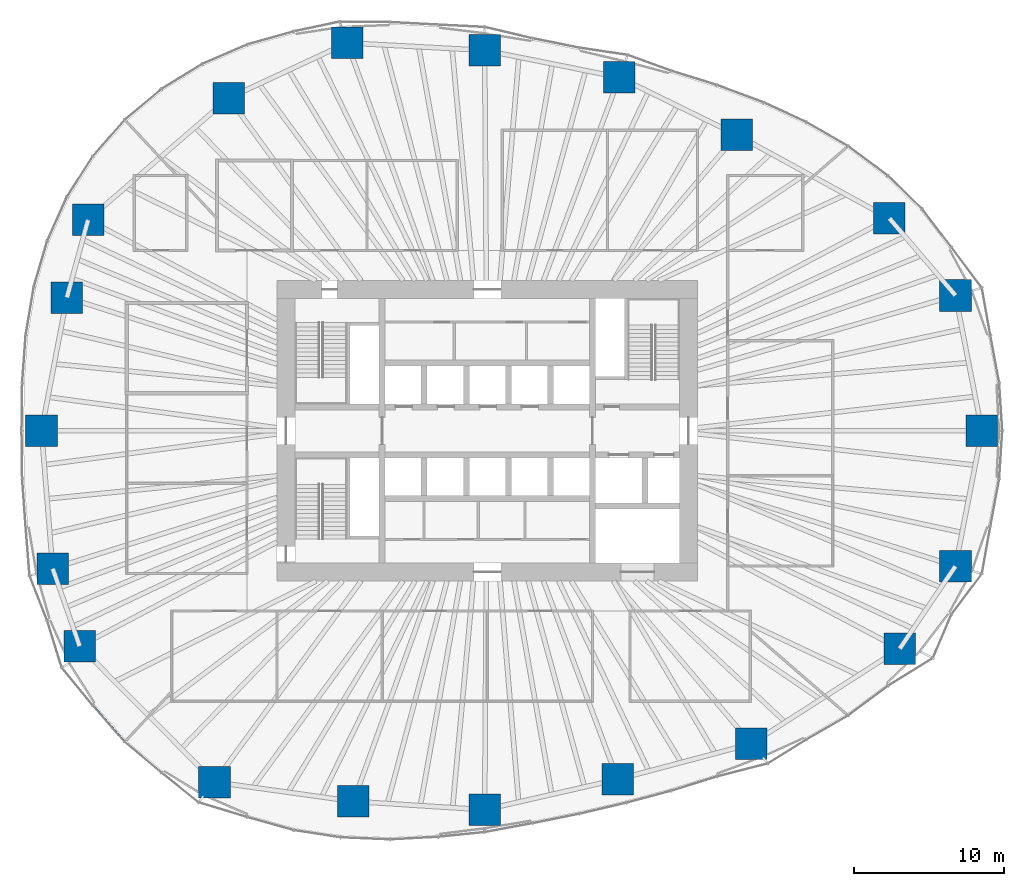
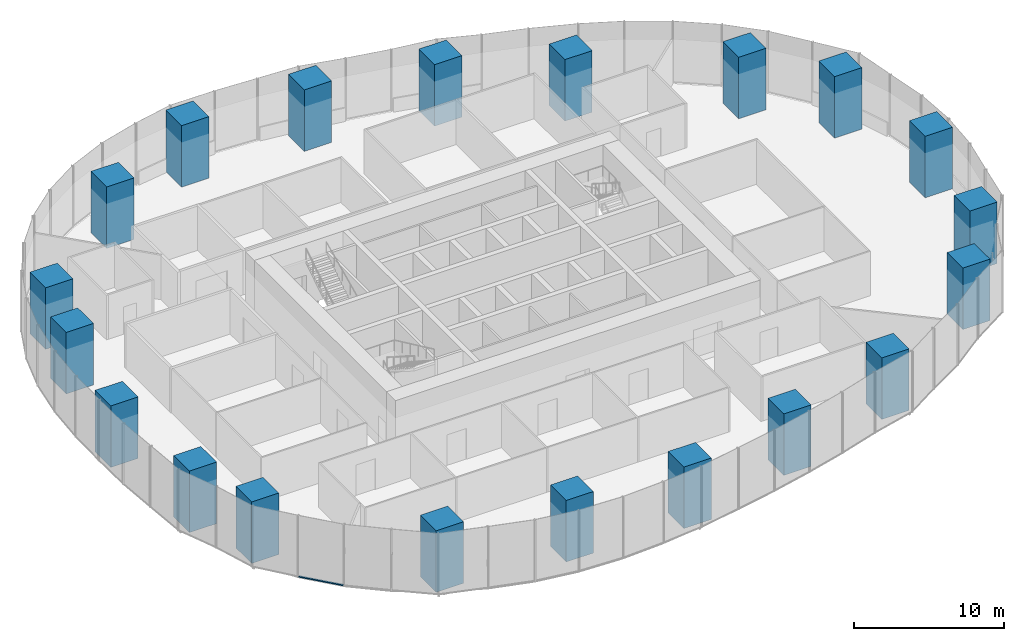
# One storey, part 1 of 20: 20 columns, 1 member, 1 element without a shape of its own.
"""IFC4 building model written with IfcOpenShell, lengths in metres."""

from ifc_helpers import new_model, si_unit, direction, frame, origin, origin_2d, place, context, subcontext, project, spatial, rectangle, extrude, material, material_profile, profile_set, type_object, element, aggregate, save


model = new_model("IFC4")

# Units and contexts
model_context = context("Model", 3, precision=1e-05, world=origin(), true_north=direction((0.0, 1.0)))
body_context = subcontext(model_context, "Body", "Model", "MODEL_VIEW")
ifc_project = project(units=[si_unit("LENGTHUNIT", "METRE"), si_unit("AREAUNIT", "SQUARE_METRE"), si_unit("VOLUMEUNIT", "CUBIC_METRE"), si_unit("PLANEANGLEUNIT", "RADIAN"), si_unit("MASSUNIT", "GRAM", prefix="KILO")], contexts=[model_context])

# Site, building, storey
site_placement = place(None, origin())
site = spatial("IfcSite", under=ifc_project, at=site_placement, CompositionType="ELEMENT")
building_placement = place(site_placement, origin())
building = spatial("IfcBuilding", under=site, at=building_placement, Name="Ghaith Harvest Tower", CompositionType="ELEMENT")
storey_placement = place(building_placement, frame((0.0, 0.0, 40.0)))
storey = spatial("IfcBuildingStorey", under=building, at=storey_placement, Name="L08", CompositionType="ELEMENT", Elevation=40.0)

# Columns
ifc_material_1 = material(Name="Concrete C70/85", Category="concrete")
ifc_material_profile_1 = material_profile(ifc_material_1, rectangle(XDim=2.10009765625, YDim=2.10009765625, at=origin_2d()), Name="RC2100X2100")
ifc_profile_set_1 = profile_set([ifc_material_profile_1], Name="Concrete C70/85")
column_type = type_object("IfcColumnType", Name="TC1 RC2100X2100", PredefinedType="COLUMN", material=ifc_profile_set_1)
for number, where, z_axis, x_axis, name in (
    (1, (32.925048828125, 0.0, 0.0), (0.0, 0.0, 1.0), (1.0, 0.0, 0.0), "Perimeter column C01"),
    (2, (31.166015625, 9.008056640625, 0.0), (0.0, 0.0, 1.0), (1.0, 0.0, 0.0), "Perimeter column C02"),
    (3, (26.763916015625, 14.14697265625, 0.0), (0.0, 0.0, 1.0), (1.0, 0.0, 0.0), "Perimeter column C03"),
    (4, (16.60791015625, 19.695068359375, 0.0), (0.0, 0.0, 1.0), (1.0, 0.0, 0.0), "Perimeter column C04"),
    (5, (8.794921875, 23.527099609375, 0.0), (0.0, 0.0, 1.0), (1.0, 0.0, 0.0), "Perimeter column C05"),
    (6, (-0.173095703125, 25.326904296875, 0.0), (0.0, 0.0, 1.0), (1.0, 0.0, 0.0), "Perimeter column C06"),
    (7, (-9.325927734375, 25.821044921875, 0.0), (0.0, 0.0, 1.0), (1.0, 0.0, 0.0), "Perimeter column C07"),
    (8, (-17.201904296875, 22.14990234375, 0.0), (0.0, 0.0, 1.0), (1.0, 0.0, 0.0), "Perimeter column C08"),
    (9, (-26.572998046875, 14.0458984375, 0.0), (0.0, 0.0, 1.0), (1.0, 0.0, 0.0), "Perimeter column C09"),
    (10, (-27.98291015625, 8.867919921875, 0.0), (0.0, 0.0, 1.0), (1.0, 0.0, 0.0), "Perimeter column C10"),
    (11, (-29.675048828125, 0.0, 0.0), (0.0, 0.0, 1.0), (1.0, 0.0, 0.0), "Perimeter column C11"),
    (12, (-28.929931640625, -9.16796875, 0.0), (0.0, 0.0, 1.0), (1.0, 0.0, 0.0), "Perimeter column C12"),
    (13, (-27.132080078125, -14.341064453125, 0.0), (0.0, 0.0, 1.0), (1.0, 0.0, 0.0), "Perimeter column C13"),
    (14, (-18.157958984375, -23.3798828125, 0.0), (0.0, 0.0, 1.0), (1.0, 0.0, 0.0), "Perimeter column C14"),
    (15, (-8.908935546875, -24.66796875, 0.0), (0.0, 0.0, 1.0), (1.0, 0.0, 0.0), "Perimeter column C15"),
    (16, (-0.173095703125, -25.22412109375, 0.0), (0.0, 0.0, 1.0), (1.0, 0.0, 0.0), "Perimeter column C16"),
    (17, (8.674072265625, -23.202880859375, 0.0), (0.0, 0.0, 1.0), (1.0, 0.0, 0.0), "Perimeter column C17"),
    (18, (17.572021484375, -20.8369140625, 0.0), (0.0, 0.0, 1.0), (1.0, 0.0, 0.0), "Perimeter column C18"),
    (19, (27.448974609375, -14.509033203125, 0.0), (0.0, 0.0, 1.0), (1.0, 0.0, 0.0), "Perimeter column C19"),
    (20, (31.166015625, -9.008056640625, 0.0), (0.0, 0.0, 1.0), (1.0, 0.0, 0.0), "Perimeter column C20"),
):
    element("IfcColumn", number, at=place(storey_placement, frame(where, z_axis=z_axis, x_axis=x_axis)), inside=storey, type_object=column_type, Name=name, PredefinedType="COLUMN", context=body_context, shape_type="SweptSolid", body=[
        extrude(rectangle(XDim=2.10009765625, YDim=2.10009765625, at=origin_2d()), origin(), (0.0, 0.0, 1.0), 5.0),
    ])

# Curtain wall, member
ifc_material_2 = material(Name="Black anodised aluminium and fritted glass", Category="aluminium")
curtain_wall_type = type_object("IfcCurtainWallType", Name="CW-F CURTAIN WALL", PredefinedType="NOTDEFINED", material=ifc_material_2)
curtain_wall_placement = place(storey_placement, origin())
curtain_wall = element("IfcCurtainWall", 21, at=curtain_wall_placement, inside=storey, type_object=curtain_wall_type, Name="Curtain wall CW-F bay 13 L08", PredefinedType="NOTDEFINED")
ifc_material_3 = material(Name="Aluminium, black anodised", Category="aluminium")
ifc_material_profile_2 = material_profile(ifc_material_3, rectangle(XDim=0.139892578125, YDim=0.080078125, at=origin_2d()), Name="CW-F TRANSOM 140x80")
ifc_profile_set_2 = profile_set([ifc_material_profile_2], Name="Aluminium, black anodised")
member_type = type_object("IfcMemberType", Name="CW-F TRANSOM 140x80", PredefinedType="USERDEFINED", material=ifc_profile_set_2)
member_placement = place(storey_placement, frame((-26.23681640625, -18.30419921875, 0.0400390625), z_axis=(0.65923052982, -0.751940894322, 0.0), x_axis=(0.751940894322, 0.65923052982, 0.0)))
member = element("IfcMember", 22, at=member_placement, type_object=member_type, Name="CW-F transom 1 bay 13 L08", ObjectType="TRANSOM", PredefinedType="USERDEFINED", context=body_context, shape_type="SweptSolid", body=[
    extrude(rectangle(XDim=0.139892578125, YDim=0.080078125, at=origin_2d()), origin(), (0.0, 0.0, 1.0), 3.1416015625),
])
aggregate(curtain_wall, [member])

save(model, "model.ifc")
